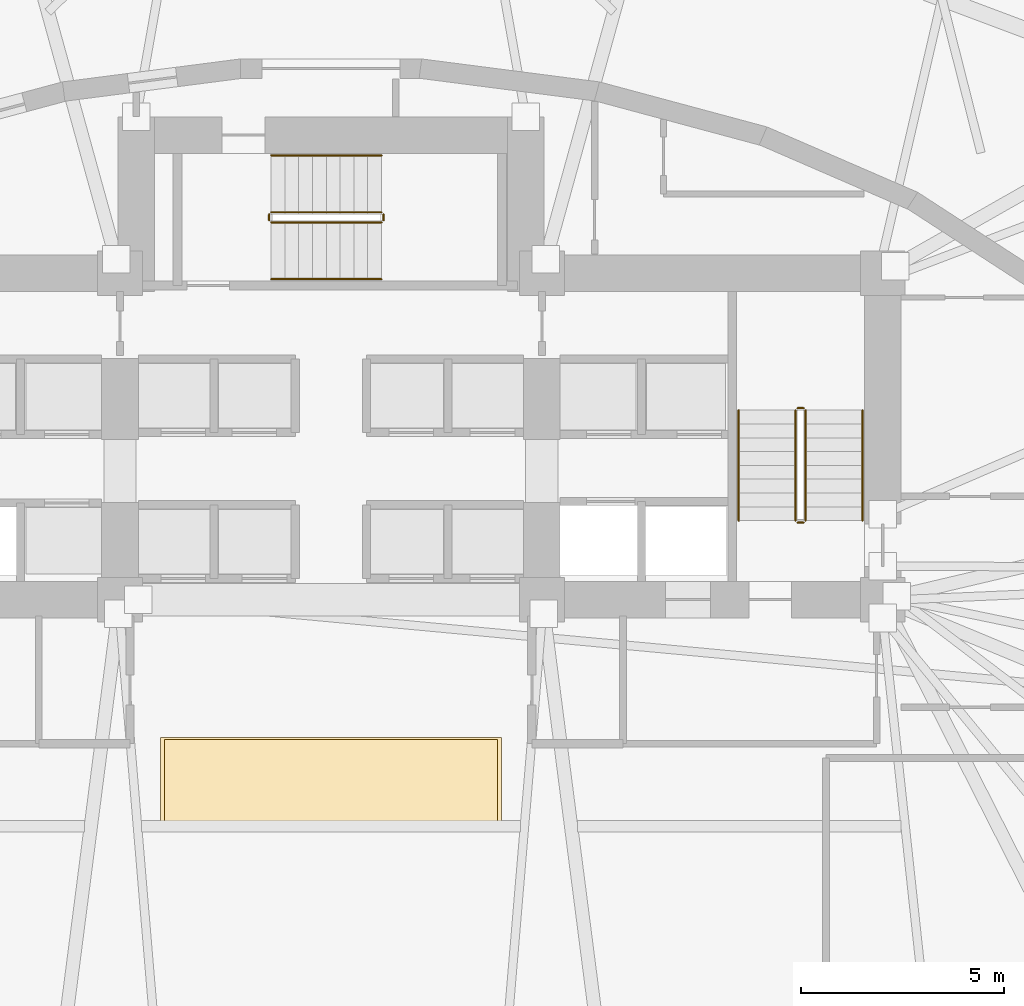
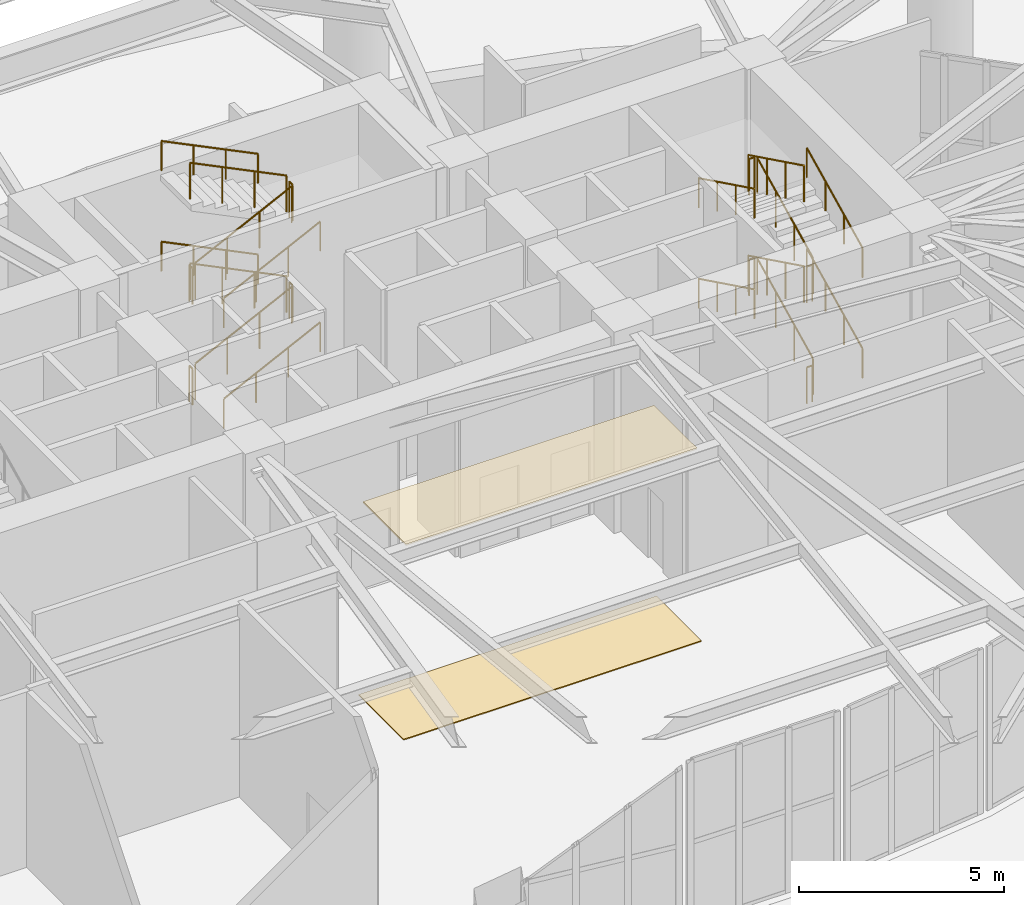
# One storey, part 19 of 21: 24 railings, 2 coverings.
"""IFC4 building model written with IfcOpenShell, lengths in metres."""

from ifc_helpers import new_model, si_unit, direction, frame, origin, origin_2d, place, context, subcontext, project, spatial, rectangle, circle, extrude, material, layer, layer_set, type_object, element, save


model = new_model("IFC4")

# Units and contexts
model_context = context("Model", 3, precision=1e-05, world=origin(), true_north=direction((0.0, 1.0)))
body_context = subcontext(model_context, "Body", "Model", "MODEL_VIEW")
ifc_project = project(units=[si_unit("LENGTHUNIT", "METRE"), si_unit("AREAUNIT", "SQUARE_METRE"), si_unit("VOLUMEUNIT", "CUBIC_METRE"), si_unit("PLANEANGLEUNIT", "RADIAN"), si_unit("MASSUNIT", "GRAM", prefix="KILO")], contexts=[model_context])

# Site, building, storey
site_placement = place(None, origin())
site = spatial("IfcSite", under=ifc_project, at=site_placement, CompositionType="ELEMENT")
building_placement = place(site_placement, origin())
building = spatial("IfcBuilding", under=site, at=building_placement, Name="Keldmark Tower", CompositionType="ELEMENT")
storey_placement = place(building_placement, origin())
storey = spatial("IfcBuildingStorey", under=building, at=storey_placement, Name="L00", CompositionType="ELEMENT", Elevation=0.0)

# Railings
ifc_material_1 = material(Name="Painted Steel ASTM A500 Grade B", Category="steel")
railing_type_1 = type_object("IfcRailingType", Name="Painted Steel Stair Well Guard 1100 mm", PredefinedType="GUARDRAIL", material=ifc_material_1)
railing_1_placement = place(storey_placement, frame((11.699951171875, 3.35009765625, 0.166748046875)))
element("IfcRailing", 1, at=railing_1_placement, inside=storey, type_object=railing_type_1, Name="L00 ST2 stair guard 1", PredefinedType="GUARDRAIL", context=body_context, shape_type="SweptSolid", body=[
    extrude(circle(Radius=0.02392578125, at=origin_2d()), frame((0.0, 0.0, 1.076171875), z_axis=(0.0, 0.897929466783, 0.4401393787), x_axis=(-1.0, 0.0, 0.0)), (0.0, 0.0, 1.0), 3.029052734375),
    extrude(circle(Radius=0.02099609375, at=origin_2d()), origin(), (0.0, 0.0, 1.0), 1.052001953125),
    extrude(circle(Radius=0.02099609375, at=origin_2d()), frame((0.0, 0.90673828125, 0.4443359375)), (0.0, 0.0, 1.0), 1.052001953125),
    extrude(circle(Radius=0.02099609375, at=origin_2d()), frame((0.0, 1.813232421875, 0.888916015625)), (0.0, 0.0, 1.0), 1.052001953125),
    extrude(circle(Radius=0.02099609375, at=origin_2d()), frame((0.0, 2.719970703125, 1.333251953125)), (0.0, 0.0, 1.0), 1.052001953125),
])
railing_2_placement = place(storey_placement, frame((11.64990234375, 6.1201171875, 1.5)))
element("IfcRailing", 2, at=railing_2_placement, inside=storey, type_object=railing_type_1, Name="L00 ST2 stair guard 2", PredefinedType="GUARDRAIL", context=body_context, shape_type="SweptSolid", body=[
    extrude(circle(Radius=0.02392578125, at=origin_2d()), frame((0.0, 0.0, 1.076171875), z_axis=(-1.0, 0.0, 0.0), x_axis=(0.0, -1.0, 0.0)), (0.0, 0.0, 1.0), 0.14990234375),
    extrude(circle(Radius=0.02099609375, at=origin_2d()), origin(), (0.0, 0.0, 1.0), 1.052001953125),
    extrude(circle(Radius=0.02099609375, at=origin_2d()), frame((-0.14990234375, 0.0, 0.0)), (0.0, 0.0, 1.0), 1.052001953125),
])
railing_3_placement = place(storey_placement, frame((11.449951171875, 6.070068359375, 1.666748046875)))
element("IfcRailing", 3, at=railing_3_placement, inside=storey, type_object=railing_type_1, Name="L00 ST2 stair guard 3", PredefinedType="GUARDRAIL", context=body_context, shape_type="SweptSolid", body=[
    extrude(circle(Radius=0.02392578125, at=origin_2d()), frame((0.0, 0.0, 1.076171875), z_axis=(0.0, -0.897929466783, 0.4401393787), x_axis=(1.0, 0.0, 0.0)), (0.0, 0.0, 1.0), 3.029052734375),
    extrude(circle(Radius=0.02099609375, at=origin_2d()), origin(), (0.0, 0.0, 1.0), 1.052001953125),
    extrude(circle(Radius=0.02099609375, at=origin_2d()), frame((0.0, -0.90673828125, 0.4443359375)), (0.0, 0.0, 1.0), 1.052001953125),
    extrude(circle(Radius=0.02099609375, at=origin_2d()), frame((0.0, -1.813232421875, 0.888916015625)), (0.0, 0.0, 1.0), 1.052001953125),
    extrude(circle(Radius=0.02099609375, at=origin_2d()), frame((0.0, -2.719970703125, 1.333251953125)), (0.0, 0.0, 1.0), 1.052001953125),
])
railing_4_placement = place(storey_placement, frame((11.64990234375, 3.300048828125, 3.0)))
element("IfcRailing", 4, at=railing_4_placement, inside=storey, type_object=railing_type_1, Name="L00 ST2 stair guard 4", PredefinedType="GUARDRAIL", context=body_context, shape_type="SweptSolid", body=[
    extrude(circle(Radius=0.02392578125, at=origin_2d()), frame((0.0, 0.0, 1.076171875), z_axis=(-1.0, 0.0, 0.0), x_axis=(0.0, -1.0, 0.0)), (0.0, 0.0, 1.0), 0.14990234375),
    extrude(circle(Radius=0.02099609375, at=origin_2d()), origin(), (0.0, 0.0, 1.0), 1.052001953125),
    extrude(circle(Radius=0.02099609375, at=origin_2d()), frame((-0.14990234375, 0.0, 0.0)), (0.0, 0.0, 1.0), 1.052001953125),
])
railing_5_placement = place(storey_placement, frame((11.699951171875, 3.35009765625, 3.166748046875)))
element("IfcRailing", 5, at=railing_5_placement, inside=storey, type_object=railing_type_1, Name="L00 ST2 stair guard 5", PredefinedType="GUARDRAIL", context=body_context, shape_type="SweptSolid", body=[
    extrude(circle(Radius=0.02392578125, at=origin_2d()), frame((0.0, 0.0, 1.076171875), z_axis=(0.0, 0.897929466783, 0.4401393787), x_axis=(-1.0, 0.0, 0.0)), (0.0, 0.0, 1.0), 3.029052734375),
    extrude(circle(Radius=0.02099609375, at=origin_2d()), origin(), (0.0, 0.0, 1.0), 1.052001953125),
    extrude(circle(Radius=0.02099609375, at=origin_2d()), frame((0.0, 0.90673828125, 0.4443359375)), (0.0, 0.0, 1.0), 1.052001953125),
    extrude(circle(Radius=0.02099609375, at=origin_2d()), frame((0.0, 1.813232421875, 0.888916015625)), (0.0, 0.0, 1.0), 1.052001953125),
    extrude(circle(Radius=0.02099609375, at=origin_2d()), frame((0.0, 2.719970703125, 1.333251953125)), (0.0, 0.0, 1.0), 1.052001953125),
])
railing_6_placement = place(storey_placement, frame((11.64990234375, 6.1201171875, 4.5)))
element("IfcRailing", 6, at=railing_6_placement, inside=storey, type_object=railing_type_1, Name="L00 ST2 stair guard 6", PredefinedType="GUARDRAIL", context=body_context, shape_type="SweptSolid", body=[
    extrude(circle(Radius=0.02392578125, at=origin_2d()), frame((0.0, 0.0, 1.076171875), z_axis=(-1.0, 0.0, 0.0), x_axis=(0.0, -1.0, 0.0)), (0.0, 0.0, 1.0), 0.14990234375),
    extrude(circle(Radius=0.02099609375, at=origin_2d()), origin(), (0.0, 0.0, 1.0), 1.052001953125),
    extrude(circle(Radius=0.02099609375, at=origin_2d()), frame((-0.14990234375, 0.0, 0.0)), (0.0, 0.0, 1.0), 1.052001953125),
])
railing_7_placement = place(storey_placement, frame((11.449951171875, 6.070068359375, 4.666748046875)))
element("IfcRailing", 7, at=railing_7_placement, inside=storey, type_object=railing_type_1, Name="L00 ST2 stair guard 7", PredefinedType="GUARDRAIL", context=body_context, shape_type="SweptSolid", body=[
    extrude(circle(Radius=0.02392578125, at=origin_2d()), frame((0.0, 0.0, 1.076171875), z_axis=(0.0, -0.897929466783, 0.4401393787), x_axis=(1.0, 0.0, 0.0)), (0.0, 0.0, 1.0), 3.029052734375),
    extrude(circle(Radius=0.02099609375, at=origin_2d()), origin(), (0.0, 0.0, 1.0), 1.052001953125),
    extrude(circle(Radius=0.02099609375, at=origin_2d()), frame((0.0, -0.90673828125, 0.4443359375)), (0.0, 0.0, 1.0), 1.052001953125),
    extrude(circle(Radius=0.02099609375, at=origin_2d()), frame((0.0, -1.813232421875, 0.888916015625)), (0.0, 0.0, 1.0), 1.052001953125),
    extrude(circle(Radius=0.02099609375, at=origin_2d()), frame((0.0, -2.719970703125, 1.333251953125)), (0.0, 0.0, 1.0), 1.052001953125),
])
railing_8_placement = place(storey_placement, frame((11.64990234375, 3.300048828125, 0.0)))
element("IfcRailing", 8, at=railing_8_placement, inside=storey, type_object=railing_type_1, Name="L00 ST2 stair guard 8", PredefinedType="GUARDRAIL", context=body_context, shape_type="SweptSolid", body=[
    extrude(circle(Radius=0.02392578125, at=origin_2d()), frame((0.0, 0.0, 1.076171875), z_axis=(-1.0, 0.0, 0.0), x_axis=(0.0, -1.0, 0.0)), (0.0, 0.0, 1.0), 0.14990234375),
    extrude(circle(Radius=0.02099609375, at=origin_2d()), origin(), (0.0, 0.0, 1.0), 1.052001953125),
    extrude(circle(Radius=0.02099609375, at=origin_2d()), frame((-0.14990234375, 0.0, 0.0)), (0.0, 0.0, 1.0), 1.052001953125),
])
railing_9_placement = place(storey_placement, frame((-1.47509765625, 10.699951171875, 0.166748046875)))
element("IfcRailing", 9, at=railing_9_placement, inside=storey, type_object=railing_type_1, Name="L00 ST3 stair guard 1", PredefinedType="GUARDRAIL", context=body_context, shape_type="SweptSolid", body=[
    extrude(circle(Radius=0.02392578125, at=origin_2d()), frame((0.0, 0.0, 1.076171875), z_axis=(0.897945078525, 0.0, 0.440107527717), x_axis=(0.0, 1.0, 0.0)), (0.0, 0.0, 1.0), 3.029296875),
    extrude(circle(Radius=0.02099609375, at=origin_2d()), origin(), (0.0, 0.0, 1.0), 1.052001953125),
    extrude(circle(Radius=0.02099609375, at=origin_2d()), frame((0.90673828125, 0.0, 0.4443359375)), (0.0, 0.0, 1.0), 1.052001953125),
    extrude(circle(Radius=0.02099609375, at=origin_2d()), frame((1.8134765625, 0.0, 0.888916015625)), (0.0, 0.0, 1.0), 1.052001953125),
    extrude(circle(Radius=0.02099609375, at=origin_2d()), frame((2.72021484375, 0.0, 1.333251953125)), (0.0, 0.0, 1.0), 1.052001953125),
])
railing_10_placement = place(storey_placement, frame((1.294921875, 10.75, 1.5)))
element("IfcRailing", 10, at=railing_10_placement, inside=storey, type_object=railing_type_1, Name="L00 ST3 stair guard 2", PredefinedType="GUARDRAIL", context=body_context, shape_type="SweptSolid", body=[
    extrude(circle(Radius=0.02392578125, at=origin_2d()), frame((0.0, 0.0, 1.076171875), z_axis=(0.0, 1.0, 0.0), x_axis=(-1.0, 0.0, 0.0)), (0.0, 0.0, 1.0), 0.14990234375),
    extrude(circle(Radius=0.02099609375, at=origin_2d()), origin(), (0.0, 0.0, 1.0), 1.052001953125),
    extrude(circle(Radius=0.02099609375, at=origin_2d()), frame((0.0, 0.14990234375, 0.0)), (0.0, 0.0, 1.0), 1.052001953125),
])
railing_11_placement = place(storey_placement, frame((1.2451171875, 10.949951171875, 1.666748046875)))
element("IfcRailing", 11, at=railing_11_placement, inside=storey, type_object=railing_type_1, Name="L00 ST3 stair guard 3", PredefinedType="GUARDRAIL", context=body_context, shape_type="SweptSolid", body=[
    extrude(circle(Radius=0.02392578125, at=origin_2d()), frame((0.0, 0.0, 1.076171875), z_axis=(-0.897945078525, 0.0, 0.440107527717), x_axis=(0.0, -1.0, 0.0)), (0.0, 0.0, 1.0), 3.029296875),
    extrude(circle(Radius=0.02099609375, at=origin_2d()), origin(), (0.0, 0.0, 1.0), 1.052001953125),
    extrude(circle(Radius=0.02099609375, at=origin_2d()), frame((-0.90673828125, 0.0, 0.4443359375)), (0.0, 0.0, 1.0), 1.052001953125),
    extrude(circle(Radius=0.02099609375, at=origin_2d()), frame((-1.8134765625, 0.0, 0.888916015625)), (0.0, 0.0, 1.0), 1.052001953125),
    extrude(circle(Radius=0.02099609375, at=origin_2d()), frame((-2.72021484375, 0.0, 1.333251953125)), (0.0, 0.0, 1.0), 1.052001953125),
])
railing_12_placement = place(storey_placement, frame((-1.52490234375, 10.75, 3.0)))
element("IfcRailing", 12, at=railing_12_placement, inside=storey, type_object=railing_type_1, Name="L00 ST3 stair guard 4", PredefinedType="GUARDRAIL", context=body_context, shape_type="SweptSolid", body=[
    extrude(circle(Radius=0.02392578125, at=origin_2d()), frame((0.0, 0.0, 1.076171875), z_axis=(0.0, 1.0, 0.0), x_axis=(-1.0, 0.0, 0.0)), (0.0, 0.0, 1.0), 0.14990234375),
    extrude(circle(Radius=0.02099609375, at=origin_2d()), origin(), (0.0, 0.0, 1.0), 1.052001953125),
    extrude(circle(Radius=0.02099609375, at=origin_2d()), frame((0.0, 0.14990234375, 0.0)), (0.0, 0.0, 1.0), 1.052001953125),
])
railing_13_placement = place(storey_placement, frame((-1.47509765625, 10.699951171875, 3.166748046875)))
element("IfcRailing", 13, at=railing_13_placement, inside=storey, type_object=railing_type_1, Name="L00 ST3 stair guard 5", PredefinedType="GUARDRAIL", context=body_context, shape_type="SweptSolid", body=[
    extrude(circle(Radius=0.02392578125, at=origin_2d()), frame((0.0, 0.0, 1.076171875), z_axis=(0.897945078525, 0.0, 0.440107527717), x_axis=(0.0, 1.0, 0.0)), (0.0, 0.0, 1.0), 3.029296875),
    extrude(circle(Radius=0.02099609375, at=origin_2d()), origin(), (0.0, 0.0, 1.0), 1.052001953125),
    extrude(circle(Radius=0.02099609375, at=origin_2d()), frame((0.90673828125, 0.0, 0.4443359375)), (0.0, 0.0, 1.0), 1.052001953125),
    extrude(circle(Radius=0.02099609375, at=origin_2d()), frame((1.8134765625, 0.0, 0.888916015625)), (0.0, 0.0, 1.0), 1.052001953125),
    extrude(circle(Radius=0.02099609375, at=origin_2d()), frame((2.72021484375, 0.0, 1.333251953125)), (0.0, 0.0, 1.0), 1.052001953125),
])
railing_14_placement = place(storey_placement, frame((1.294921875, 10.75, 4.5)))
element("IfcRailing", 14, at=railing_14_placement, inside=storey, type_object=railing_type_1, Name="L00 ST3 stair guard 6", PredefinedType="GUARDRAIL", context=body_context, shape_type="SweptSolid", body=[
    extrude(circle(Radius=0.02392578125, at=origin_2d()), frame((0.0, 0.0, 1.076171875), z_axis=(0.0, 1.0, 0.0), x_axis=(-1.0, 0.0, 0.0)), (0.0, 0.0, 1.0), 0.14990234375),
    extrude(circle(Radius=0.02099609375, at=origin_2d()), origin(), (0.0, 0.0, 1.0), 1.052001953125),
    extrude(circle(Radius=0.02099609375, at=origin_2d()), frame((0.0, 0.14990234375, 0.0)), (0.0, 0.0, 1.0), 1.052001953125),
])
railing_15_placement = place(storey_placement, frame((1.2451171875, 10.949951171875, 4.666748046875)))
element("IfcRailing", 15, at=railing_15_placement, inside=storey, type_object=railing_type_1, Name="L00 ST3 stair guard 7", PredefinedType="GUARDRAIL", context=body_context, shape_type="SweptSolid", body=[
    extrude(circle(Radius=0.02392578125, at=origin_2d()), frame((0.0, 0.0, 1.076171875), z_axis=(-0.897945078525, 0.0, 0.440107527717), x_axis=(0.0, -1.0, 0.0)), (0.0, 0.0, 1.0), 3.029296875),
    extrude(circle(Radius=0.02099609375, at=origin_2d()), origin(), (0.0, 0.0, 1.0), 1.052001953125),
    extrude(circle(Radius=0.02099609375, at=origin_2d()), frame((-0.90673828125, 0.0, 0.4443359375)), (0.0, 0.0, 1.0), 1.052001953125),
    extrude(circle(Radius=0.02099609375, at=origin_2d()), frame((-1.8134765625, 0.0, 0.888916015625)), (0.0, 0.0, 1.0), 1.052001953125),
    extrude(circle(Radius=0.02099609375, at=origin_2d()), frame((-2.72021484375, 0.0, 1.333251953125)), (0.0, 0.0, 1.0), 1.052001953125),
])
railing_16_placement = place(storey_placement, frame((-1.52490234375, 10.75, 0.0)))
element("IfcRailing", 16, at=railing_16_placement, inside=storey, type_object=railing_type_1, Name="L00 ST3 stair guard 8", PredefinedType="GUARDRAIL", context=body_context, shape_type="SweptSolid", body=[
    extrude(circle(Radius=0.02392578125, at=origin_2d()), frame((0.0, 0.0, 1.076171875), z_axis=(0.0, 1.0, 0.0), x_axis=(-1.0, 0.0, 0.0)), (0.0, 0.0, 1.0), 0.14990234375),
    extrude(circle(Radius=0.02099609375, at=origin_2d()), origin(), (0.0, 0.0, 1.0), 1.052001953125),
    extrude(circle(Radius=0.02099609375, at=origin_2d()), frame((0.0, 0.14990234375, 0.0)), (0.0, 0.0, 1.0), 1.052001953125),
])
ifc_material_2 = material(Name="Stainless Steel AISI 316L", Category="steel")
railing_type_2 = type_object("IfcRailingType", Name="Stainless Steel Stair Handrail 900 mm", PredefinedType="HANDRAIL", material=ifc_material_2)
railing_17_placement = place(storey_placement, frame((13.10009765625, 3.35009765625, 0.166748046875)))
element("IfcRailing", 17, at=railing_17_placement, inside=storey, type_object=railing_type_2, Name="L00 ST2 stair handrail 1", PredefinedType="HANDRAIL", context=body_context, shape_type="SweptSolid", body=[
    extrude(circle(Radius=0.02392578125, at=origin_2d()), frame((0.0, 0.0, 0.8759765625), z_axis=(0.0, 0.897929466783, 0.4401393787), x_axis=(-1.0, 0.0, 0.0)), (0.0, 0.0, 1.0), 3.029052734375),
    extrude(circle(Radius=0.02099609375, at=origin_2d()), origin(), (0.0, 0.0, 1.0), 0.851806640625),
    extrude(circle(Radius=0.02099609375, at=origin_2d()), frame((0.0, 0.90673828125, 0.4443359375)), (0.0, 0.0, 1.0), 0.851806640625),
    extrude(circle(Radius=0.02099609375, at=origin_2d()), frame((0.0, 1.813232421875, 0.888916015625)), (0.0, 0.0, 1.0), 0.851806640625),
    extrude(circle(Radius=0.02099609375, at=origin_2d()), frame((0.0, 2.719970703125, 1.333251953125)), (0.0, 0.0, 1.0), 0.851806640625),
])
railing_18_placement = place(storey_placement, frame((10.050048828125, 6.070068359375, 1.666748046875)))
element("IfcRailing", 18, at=railing_18_placement, inside=storey, type_object=railing_type_2, Name="L00 ST2 stair handrail 2", PredefinedType="HANDRAIL", context=body_context, shape_type="SweptSolid", body=[
    extrude(circle(Radius=0.02392578125, at=origin_2d()), frame((0.0, 0.0, 0.8759765625), z_axis=(0.0, -0.897929466783, 0.4401393787), x_axis=(1.0, 0.0, 0.0)), (0.0, 0.0, 1.0), 3.029052734375),
    extrude(circle(Radius=0.02099609375, at=origin_2d()), origin(), (0.0, 0.0, 1.0), 0.851806640625),
    extrude(circle(Radius=0.02099609375, at=origin_2d()), frame((0.0, -0.90673828125, 0.4443359375)), (0.0, 0.0, 1.0), 0.851806640625),
    extrude(circle(Radius=0.02099609375, at=origin_2d()), frame((0.0, -1.813232421875, 0.888916015625)), (0.0, 0.0, 1.0), 0.851806640625),
    extrude(circle(Radius=0.02099609375, at=origin_2d()), frame((0.0, -2.719970703125, 1.333251953125)), (0.0, 0.0, 1.0), 0.851806640625),
])
railing_19_placement = place(storey_placement, frame((13.10009765625, 3.35009765625, 3.166748046875)))
element("IfcRailing", 19, at=railing_19_placement, inside=storey, type_object=railing_type_2, Name="L00 ST2 stair handrail 3", PredefinedType="HANDRAIL", context=body_context, shape_type="SweptSolid", body=[
    extrude(circle(Radius=0.02392578125, at=origin_2d()), frame((0.0, 0.0, 0.8759765625), z_axis=(0.0, 0.897929466783, 0.4401393787), x_axis=(-1.0, 0.0, 0.0)), (0.0, 0.0, 1.0), 3.029052734375),
    extrude(circle(Radius=0.02099609375, at=origin_2d()), origin(), (0.0, 0.0, 1.0), 0.851806640625),
    extrude(circle(Radius=0.02099609375, at=origin_2d()), frame((0.0, 0.90673828125, 0.4443359375)), (0.0, 0.0, 1.0), 0.851806640625),
    extrude(circle(Radius=0.02099609375, at=origin_2d()), frame((0.0, 1.813232421875, 0.888916015625)), (0.0, 0.0, 1.0), 0.851806640625),
    extrude(circle(Radius=0.02099609375, at=origin_2d()), frame((0.0, 2.719970703125, 1.333251953125)), (0.0, 0.0, 1.0), 0.851806640625),
])
railing_20_placement = place(storey_placement, frame((10.050048828125, 6.070068359375, 4.666748046875)))
element("IfcRailing", 20, at=railing_20_placement, inside=storey, type_object=railing_type_2, Name="L00 ST2 stair handrail 4", PredefinedType="HANDRAIL", context=body_context, shape_type="SweptSolid", body=[
    extrude(circle(Radius=0.02392578125, at=origin_2d()), frame((0.0, 0.0, 0.8759765625), z_axis=(0.0, -0.897929466783, 0.4401393787), x_axis=(1.0, 0.0, 0.0)), (0.0, 0.0, 1.0), 3.029052734375),
    extrude(circle(Radius=0.02099609375, at=origin_2d()), origin(), (0.0, 0.0, 1.0), 0.851806640625),
    extrude(circle(Radius=0.02099609375, at=origin_2d()), frame((0.0, -0.90673828125, 0.4443359375)), (0.0, 0.0, 1.0), 0.851806640625),
    extrude(circle(Radius=0.02099609375, at=origin_2d()), frame((0.0, -1.813232421875, 0.888916015625)), (0.0, 0.0, 1.0), 0.851806640625),
    extrude(circle(Radius=0.02099609375, at=origin_2d()), frame((0.0, -2.719970703125, 1.333251953125)), (0.0, 0.0, 1.0), 0.851806640625),
])
railing_21_placement = place(storey_placement, frame((-1.47509765625, 9.300048828125, 0.166748046875)))
element("IfcRailing", 21, at=railing_21_placement, inside=storey, type_object=railing_type_2, Name="L00 ST3 stair handrail 1", PredefinedType="HANDRAIL", context=body_context, shape_type="SweptSolid", body=[
    extrude(circle(Radius=0.02392578125, at=origin_2d()), frame((0.0, 0.0, 0.8759765625), z_axis=(0.897945078525, 0.0, 0.440107527717), x_axis=(0.0, 1.0, 0.0)), (0.0, 0.0, 1.0), 3.029296875),
    extrude(circle(Radius=0.02099609375, at=origin_2d()), origin(), (0.0, 0.0, 1.0), 0.851806640625),
    extrude(circle(Radius=0.02099609375, at=origin_2d()), frame((0.90673828125, 0.0, 0.4443359375)), (0.0, 0.0, 1.0), 0.851806640625),
    extrude(circle(Radius=0.02099609375, at=origin_2d()), frame((1.8134765625, 0.0, 0.888916015625)), (0.0, 0.0, 1.0), 0.851806640625),
    extrude(circle(Radius=0.02099609375, at=origin_2d()), frame((2.72021484375, 0.0, 1.333251953125)), (0.0, 0.0, 1.0), 0.851806640625),
])
railing_22_placement = place(storey_placement, frame((1.2451171875, 12.35009765625, 1.666748046875)))
element("IfcRailing", 22, at=railing_22_placement, inside=storey, type_object=railing_type_2, Name="L00 ST3 stair handrail 2", PredefinedType="HANDRAIL", context=body_context, shape_type="SweptSolid", body=[
    extrude(circle(Radius=0.02392578125, at=origin_2d()), frame((0.0, 0.0, 0.8759765625), z_axis=(-0.897945078525, 0.0, 0.440107527717), x_axis=(0.0, -1.0, 0.0)), (0.0, 0.0, 1.0), 3.029296875),
    extrude(circle(Radius=0.02099609375, at=origin_2d()), origin(), (0.0, 0.0, 1.0), 0.851806640625),
    extrude(circle(Radius=0.02099609375, at=origin_2d()), frame((-0.90673828125, 0.0, 0.4443359375)), (0.0, 0.0, 1.0), 0.851806640625),
    extrude(circle(Radius=0.02099609375, at=origin_2d()), frame((-1.8134765625, 0.0, 0.888916015625)), (0.0, 0.0, 1.0), 0.851806640625),
    extrude(circle(Radius=0.02099609375, at=origin_2d()), frame((-2.72021484375, 0.0, 1.333251953125)), (0.0, 0.0, 1.0), 0.851806640625),
])
railing_23_placement = place(storey_placement, frame((-1.47509765625, 9.300048828125, 3.166748046875)))
element("IfcRailing", 23, at=railing_23_placement, inside=storey, type_object=railing_type_2, Name="L00 ST3 stair handrail 3", PredefinedType="HANDRAIL", context=body_context, shape_type="SweptSolid", body=[
    extrude(circle(Radius=0.02392578125, at=origin_2d()), frame((0.0, 0.0, 0.8759765625), z_axis=(0.897945078525, 0.0, 0.440107527717), x_axis=(0.0, 1.0, 0.0)), (0.0, 0.0, 1.0), 3.029296875),
    extrude(circle(Radius=0.02099609375, at=origin_2d()), origin(), (0.0, 0.0, 1.0), 0.851806640625),
    extrude(circle(Radius=0.02099609375, at=origin_2d()), frame((0.90673828125, 0.0, 0.4443359375)), (0.0, 0.0, 1.0), 0.851806640625),
    extrude(circle(Radius=0.02099609375, at=origin_2d()), frame((1.8134765625, 0.0, 0.888916015625)), (0.0, 0.0, 1.0), 0.851806640625),
    extrude(circle(Radius=0.02099609375, at=origin_2d()), frame((2.72021484375, 0.0, 1.333251953125)), (0.0, 0.0, 1.0), 0.851806640625),
])
railing_24_placement = place(storey_placement, frame((1.2451171875, 12.35009765625, 4.666748046875)))
element("IfcRailing", 24, at=railing_24_placement, inside=storey, type_object=railing_type_2, Name="L00 ST3 stair handrail 4", PredefinedType="HANDRAIL", context=body_context, shape_type="SweptSolid", body=[
    extrude(circle(Radius=0.02392578125, at=origin_2d()), frame((0.0, 0.0, 0.8759765625), z_axis=(-0.897945078525, 0.0, 0.440107527717), x_axis=(0.0, -1.0, 0.0)), (0.0, 0.0, 1.0), 3.029296875),
    extrude(circle(Radius=0.02099609375, at=origin_2d()), origin(), (0.0, 0.0, 1.0), 0.851806640625),
    extrude(circle(Radius=0.02099609375, at=origin_2d()), frame((-0.90673828125, 0.0, 0.4443359375)), (0.0, 0.0, 1.0), 0.851806640625),
    extrude(circle(Radius=0.02099609375, at=origin_2d()), frame((-1.8134765625, 0.0, 0.888916015625)), (0.0, 0.0, 1.0), 0.851806640625),
    extrude(circle(Radius=0.02099609375, at=origin_2d()), frame((-2.72021484375, 0.0, 1.333251953125)), (0.0, 0.0, 1.0), 0.851806640625),
])

# Coverings
ifc_material_3 = material(Name="Perforated Acoustic Gypsum and Recycled Mineral Wool", Category="gypsum")
ifc_layer_1 = layer(ifc_material_3, 0.044921875)
ifc_layer_set_1 = layer_set([ifc_layer_1], Name="Perforated Acoustic Gypsum and Recycled Mineral Wool")
covering_type_1 = type_object("IfcCoveringType", Name="Suspended Acoustic Mineral-Fiber Ceiling 45 mm", PredefinedType="CEILING", material=ifc_layer_set_1)
covering_1_placement = place(storey_placement, frame((0.0, -3.10009765625, 5.735107421875), z_axis=(0.0, 0.0, 1.0), x_axis=(1.0, 0.0, 0.0)))
element("IfcCovering", 25, at=covering_1_placement, inside=storey, type_object=covering_type_1, Name="L00 Lift Lobby Acoustic Ceiling", PredefinedType="CEILING", context=body_context, shape_type="SweptSolid", body=[
    extrude(rectangle(XDim=8.199951171875, YDim=2.10009765625, at=origin_2d()), origin(), (0.0, 0.0, 1.0), 0.044921875),
])
ifc_material_4 = material(Name="Honed Minnesota Dolomitic Limestone Epoxy Terrazzo", Category="masonry")
ifc_layer_2 = layer(ifc_material_4, 0.034912109375)
ifc_layer_set_2 = layer_set([ifc_layer_2], Name="Honed Minnesota Dolomitic Limestone Epoxy Terrazzo")
covering_type_2 = type_object("IfcCoveringType", Name="Terrazzo Public Lobby Flooring 35 mm", PredefinedType="FLOORING", material=ifc_layer_set_2)
covering_2_placement = place(storey_placement, frame((0.0, -3.10009765625, 0.0), z_axis=(0.0, 0.0, 1.0), x_axis=(1.0, 0.0, 0.0)))
element("IfcCovering", 26, at=covering_2_placement, inside=storey, type_object=covering_type_2, Name="L00 Lift Lobby Finish Flooring", PredefinedType="FLOORING", context=body_context, shape_type="SweptSolid", body=[
    extrude(rectangle(XDim=8.39990234375, YDim=2.199951171875, at=origin_2d()), origin(), (0.0, 0.0, 1.0), 0.030029296875),
])

save(model, "model.ifc")
